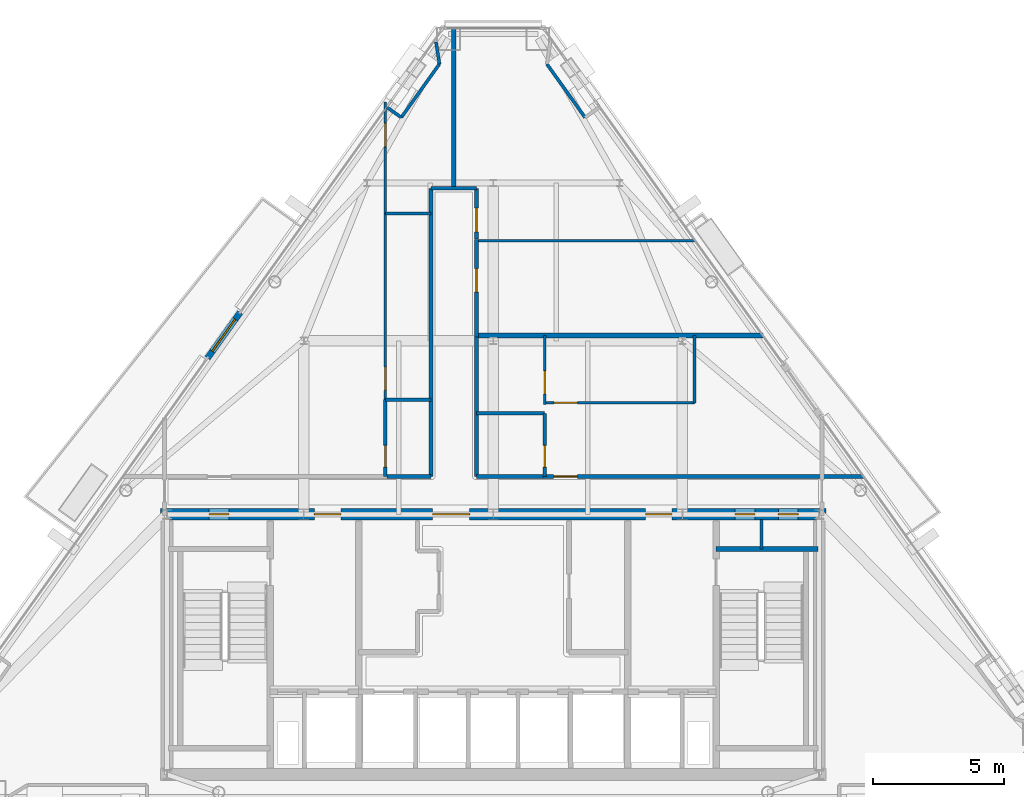
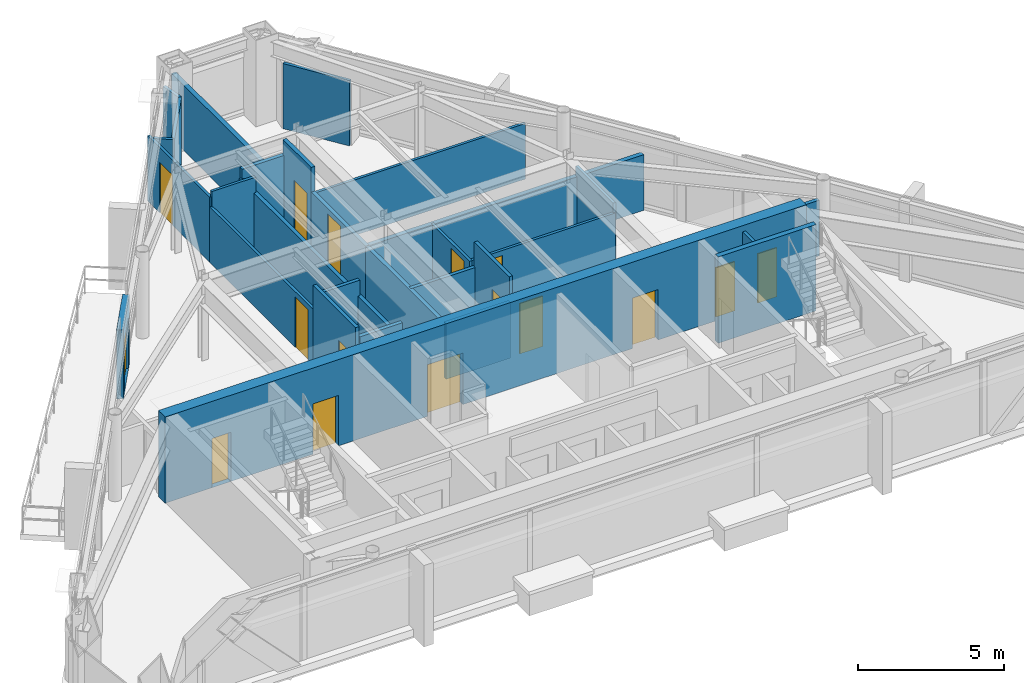
# One storey, part 9 of 12: 29 walls, 16 doors, 16 openings.
"""IFC4 building model written with IfcOpenShell, lengths in metres."""

from ifc_helpers import new_model, si_unit, direction, frame, frame_2d, origin, place, context, subcontext, project, spatial, rectangle, extrude, material, layer, layer_set, type_object, element, fill, save


model = new_model("IFC4")

# Units and contexts
model_context = context("Model", 3, precision=1e-05, world=origin(), true_north=direction((0.0, 1.0)))
body_context = subcontext(model_context, "Body", "Model", "MODEL_VIEW")
ifc_project = project(units=[si_unit("LENGTHUNIT", "METRE"), si_unit("AREAUNIT", "SQUARE_METRE"), si_unit("VOLUMEUNIT", "CUBIC_METRE"), si_unit("PLANEANGLEUNIT", "RADIAN"), si_unit("MASSUNIT", "GRAM", prefix="KILO")], contexts=[model_context])

# Site, building, storey
site_placement = place(None, origin())
site = spatial("IfcSite", under=ifc_project, at=site_placement, CompositionType="ELEMENT")
building_placement = place(site_placement, origin())
building = spatial("IfcBuilding", under=site, at=building_placement, Name="Talgorran Terracotta Tower", CompositionType="ELEMENT")
storey_placement = place(building_placement, frame((0.0, 0.0, 277.800048828125)))
storey = spatial("IfcBuildingStorey", under=building, at=storey_placement, Name="L73", CompositionType="ELEMENT", Elevation=277.800048828125)

# Wall, opening, door
ifc_material_1 = material(Name="Concrete C40/50", Category="concrete")
ifc_layer_1 = layer(ifc_material_1, 0.239990234375, Name="WT_BALCONY_SPAND")
ifc_layer_set_1 = layer_set([ifc_layer_1], Name="Concrete C40/50")
wall_type_1 = type_object("IfcWallType", Name="WT_BALCONY_SPAND", PredefinedType="STANDARD", material=ifc_layer_set_1)
wall_1_placement = place(storey_placement, frame((-9.623291015625, 3.482421875, -0.01513671875), z_axis=(0.0, 0.0, 1.0), x_axis=(-0.581238193719, -0.813733471207, 0.0)))
wall_1 = element("IfcWall", 1, at=wall_1_placement, inside=storey, type_object=wall_type_1, Name="WL-L73-BALP-BAL-NW", PredefinedType="STANDARD", context=body_context, shape_type="SweptSolid", body=[
    extrude(rectangle(XDim=2.14013671875, YDim=0.239990234375, at=frame_2d((1.070068359375, 0.0))), origin(), (0.0, 0.0, 1.0), 2.878173828125),
])
opening_1_placement = place(wall_1_placement, frame((0.320068359375, 0.0, 0.014892578125)))
opening_1 = element("IfcOpeningElement", 2, at=opening_1_placement, cuts=wall_1, Name="Opening D-BAL-L73-2", PredefinedType="OPENING", context=body_context, shape_type="SweptSolid", body=[
    extrude(rectangle(XDim=1.506, YDim=2.203951171875, at=frame_2d((0.75, 1.10205078125))), frame((0.0, 0.1298828125, 0.0), z_axis=(0.0, -1.0, 0.0), x_axis=(1.0, 0.0, 0.0)), (0.0, 0.0, 1.0), 0.260009765625),
])
ifc_material_2 = material(Name="Thermally Broken Aluminium", Category="aluminium")
door_type_1 = type_object("IfcDoorType", Name="DT_BALC_1500", OperationType="SLIDING_TO_RIGHT", PredefinedType="DOOR", material=ifc_material_2)
door_1_placement = place(opening_1_placement, origin())
door_1 = element("IfcDoor", 3, at=door_1_placement, inside=storey, type_object=door_type_1, Name="DR-L73-BAL-BAL-NW", OperationType="SLIDING_TO_RIGHT", OverallHeight=2.199951171875, OverallWidth=1.5, PredefinedType="DOOR", context=body_context, shape_type="SweptSolid", body=[
    extrude(rectangle(XDim=1.5, YDim=2.199951171875, at=frame_2d((0.75, 1.10009765625))), frame((0.0, 0.02490234375, 0.0), z_axis=(0.0, -1.0, 0.0), x_axis=(1.0, 0.0, 0.0)), (0.0, 0.0, 1.0), 0.050048828125),
])
fill(opening_1, door_1)

# Wall
ifc_material_3 = material(Name="Concrete C50/60", Category="concrete")
ifc_layer_2 = layer(ifc_material_3, 0.199951171875, Name="WT_CORE_200")
ifc_layer_set_2 = layer_set([ifc_layer_2], Name="Concrete C50/60")
wall_type_2 = type_object("IfcWallType", Name="WT_CORE_200", PredefinedType="SOLIDWALL", material=ifc_layer_set_2)
wall_2_placement = place(storey_placement, frame((8.47998046875, -5.52001953125, 0.0), z_axis=(0.0, 0.0, 1.0), x_axis=(1.0, 0.0, 0.0)))
element("IfcWall", 4, at=wall_2_placement, inside=storey, type_object=wall_type_2, Name="WL-L73-CW-ST2-N", PredefinedType="SOLIDWALL", context=body_context, shape_type="SweptSolid", body=[
    extrude(rectangle(XDim=3.8701171875, YDim=0.199951171875, at=frame_2d((1.93505859375, 0.0))), origin(), (0.0, 0.0, 1.0), 3.599853515625),
])

# Wall, openings, doors
ifc_material_4 = material(Name="Concrete C65/80", Category="concrete")
ifc_layer_3 = layer(ifc_material_4, 0.449951171875, Name="WT_CORE_EXT")
ifc_layer_set_3 = layer_set([ifc_layer_3], Name="Concrete C65/80")
wall_type_3 = type_object("IfcWallType", Name="WT_CORE_EXT", PredefinedType="SHEAR", material=ifc_layer_set_3)
wall_3_placement = place(storey_placement, frame((-12.64990234375, -4.199951171875, 0.0), z_axis=(0.0, 0.0, 1.0), x_axis=(1.0, 0.0, 0.0)))
wall_3 = element("IfcWall", 5, at=wall_3_placement, inside=storey, type_object=wall_type_3, Name="WL-L73-CW-OUT-N", PredefinedType="SHEAR", context=body_context, shape_type="SweptSolid", body=[
    extrude(rectangle(XDim=25.2998046875, YDim=0.449951171875, at=frame_2d((12.64990234375, 0.0))), origin(), (0.0, 0.0, 1.0), 3.599853515625),
])
opening_2_placement = place(wall_3_placement, frame((1.85009765625, 0.0, 0.0)))
opening_2 = element("IfcOpeningElement", 6, at=opening_2_placement, cuts=wall_3, Name="Opening DR-CSN1", PredefinedType="OPENING", context=body_context, shape_type="SweptSolid", body=[
    extrude(rectangle(XDim=0.756, YDim=2.054048828125, at=frame_2d((0.375, 1.027099609375))), frame((0.0, 0.23486328125, 0.0), z_axis=(0.0, -1.0, 0.0), x_axis=(1.0, 0.0, 0.0)), (0.0, 0.0, 1.0), 0.469970703125),
])
opening_3_placement = place(wall_3_placement, frame((21.85009765625, 0.0, 0.0)))
opening_3 = element("IfcOpeningElement", 7, at=opening_3_placement, cuts=wall_3, Name="Opening DR-CSN2", PredefinedType="OPENING", context=body_context, shape_type="SweptSolid", body=[
    extrude(rectangle(XDim=0.756, YDim=2.054048828125, at=frame_2d((0.375, 1.027099609375))), frame((0.0, 0.23486328125, 0.0), z_axis=(0.0, -1.0, 0.0), x_axis=(1.0, 0.0, 0.0)), (0.0, 0.0, 1.0), 0.469970703125),
])
opening_4_placement = place(wall_3_placement, frame((23.5, 0.0, 0.0)))
opening_4 = element("IfcOpeningElement", 8, at=opening_4_placement, cuts=wall_3, Name="Opening DR-CSN3", PredefinedType="OPENING", context=body_context, shape_type="SweptSolid", body=[
    extrude(rectangle(XDim=0.756, YDim=2.054048828125, at=frame_2d((0.375, 1.027099609375))), frame((0.0, 0.23486328125, 0.0), z_axis=(0.0, -1.0, 0.0), x_axis=(1.0, 0.0, 0.0)), (0.0, 0.0, 1.0), 0.469970703125),
])
opening_5_placement = place(wall_3_placement, frame((5.85009765625, 0.0, 0.0)))
opening_5 = element("IfcOpeningElement", 9, at=opening_5_placement, cuts=wall_3, Name="Opening DR-FFLW-N", PredefinedType="OPENING", context=body_context, shape_type="SweptSolid", body=[
    extrude(rectangle(XDim=1.006, YDim=2.10409765625, at=frame_2d((0.5, 1.052001953125))), frame((0.0, 0.23486328125, 0.0), z_axis=(0.0, -1.0, 0.0), x_axis=(1.0, 0.0, 0.0)), (0.0, 0.0, 1.0), 0.469970703125),
])
opening_6_placement = place(wall_3_placement, frame((10.35009765625, 0.0, 0.0)))
opening_6 = element("IfcOpeningElement", 10, at=opening_6_placement, cuts=wall_3, Name="Opening DR-PLL-N", PredefinedType="OPENING", context=body_context, shape_type="SweptSolid", body=[
    extrude(rectangle(XDim=1.40590234375, YDim=2.15390234375, at=frame_2d((0.699951171875, 1.076904296875))), frame((0.0, 0.23486328125, 0.0), z_axis=(0.0, -1.0, 0.0), x_axis=(1.0, 0.0, 0.0)), (0.0, 0.0, 1.0), 0.469970703125),
])
opening_7_placement = place(wall_3_placement, frame((18.449951171875, 0.0, 0.0)))
opening_7 = element("IfcOpeningElement", 11, at=opening_7_placement, cuts=wall_3, Name="Opening DR-FFLE-N", PredefinedType="OPENING", context=body_context, shape_type="SweptSolid", body=[
    extrude(rectangle(XDim=1.006, YDim=2.10409765625, at=frame_2d((0.5, 1.052001953125))), frame((0.0, 0.23486328125, 0.0), z_axis=(0.0, -1.0, 0.0), x_axis=(1.0, 0.0, 0.0)), (0.0, 0.0, 1.0), 0.469970703125),
])
ifc_material_5 = material(Name="Acoustic Glazed Timber", Category="wood")
door_type_2 = type_object("IfcDoorType", Name="DT_DOUBLE_1400", OperationType="DOUBLE_DOOR_SINGLE_SWING", PredefinedType="DOOR", material=ifc_material_5)
door_2_placement = place(opening_6_placement, origin())
door_2 = element("IfcDoor", 12, at=door_2_placement, inside=storey, type_object=door_type_2, Name="DR-PLL-N", OperationType="DOUBLE_DOOR_SINGLE_SWING", OverallHeight=2.14990234375, OverallWidth=1.39990234375, PredefinedType="DOOR", context=body_context, shape_type="SweptSolid", body=[
    extrude(rectangle(XDim=1.39990234375, YDim=2.14990234375, at=frame_2d((0.699951171875, 1.074951171875))), frame((0.0, 0.02490234375, 0.0), z_axis=(0.0, -1.0, 0.0), x_axis=(1.0, 0.0, 0.0)), (0.0, 0.0, 1.0), 0.050048828125),
])
fill(opening_6, door_2)
ifc_material_6 = material(Name="Fire-Rated Pressed Steel", Category="steel")
door_type_3 = type_object("IfcDoorType", Name="DT_FIRE_1000", OperationType="NOTDEFINED", PredefinedType="DOOR", material=ifc_material_6)
door_3_placement = place(opening_5_placement, origin())
door_3 = element("IfcDoor", 13, at=door_3_placement, inside=storey, type_object=door_type_3, Name="DR-FFLW-N", OperationType="SINGLE_SWING_LEFT", OverallHeight=2.10009765625, OverallWidth=1.0, PredefinedType="DOOR", context=body_context, shape_type="SweptSolid", body=[
    extrude(rectangle(XDim=1.0, YDim=2.10009765625, at=frame_2d((0.5, 1.050048828125))), frame((0.0, 0.02490234375, 0.0), z_axis=(0.0, -1.0, 0.0), x_axis=(1.0, 0.0, 0.0)), (0.0, 0.0, 1.0), 0.050048828125),
])
fill(opening_5, door_3)
door_4_placement = place(opening_7_placement, origin())
door_4 = element("IfcDoor", 14, at=door_4_placement, inside=storey, type_object=door_type_3, Name="DR-FFLE-N", OperationType="SINGLE_SWING_RIGHT", OverallHeight=2.10009765625, OverallWidth=1.0, PredefinedType="DOOR", context=body_context, shape_type="SweptSolid", body=[
    extrude(rectangle(XDim=1.0, YDim=2.10009765625, at=frame_2d((0.5, 1.050048828125))), frame((0.0, 0.02490234375, 0.0), z_axis=(0.0, -1.0, 0.0), x_axis=(1.0, 0.0, 0.0)), (0.0, 0.0, 1.0), 0.050048828125),
])
fill(opening_7, door_4)
door_type_4 = type_object("IfcDoorType", Name="DT_RISER_750", OperationType="NOTDEFINED", PredefinedType="DOOR", material=ifc_material_6)
door_5_placement = place(opening_2_placement, origin())
door_5 = element("IfcDoor", 15, at=door_5_placement, inside=storey, type_object=door_type_4, Name="DR-CSN1", OperationType="SINGLE_SWING_LEFT", OverallHeight=2.050048828125, OverallWidth=0.75, PredefinedType="DOOR", context=body_context, shape_type="SweptSolid", body=[
    extrude(rectangle(XDim=0.75, YDim=2.050048828125, at=frame_2d((0.375, 1.02490234375))), frame((0.0, 0.02490234375, 0.0), z_axis=(0.0, -1.0, 0.0), x_axis=(1.0, 0.0, 0.0)), (0.0, 0.0, 1.0), 0.050048828125),
])
fill(opening_2, door_5)
door_6_placement = place(opening_3_placement, origin())
door_6 = element("IfcDoor", 16, at=door_6_placement, inside=storey, type_object=door_type_4, Name="DR-CSN2", OperationType="SINGLE_SWING_LEFT", OverallHeight=2.050048828125, OverallWidth=0.75, PredefinedType="DOOR", context=body_context, shape_type="SweptSolid", body=[
    extrude(rectangle(XDim=0.75, YDim=2.050048828125, at=frame_2d((0.375, 1.02490234375))), frame((0.0, 0.02490234375, 0.0), z_axis=(0.0, -1.0, 0.0), x_axis=(1.0, 0.0, 0.0)), (0.0, 0.0, 1.0), 0.050048828125),
])
fill(opening_3, door_6)
door_7_placement = place(opening_4_placement, origin())
door_7 = element("IfcDoor", 17, at=door_7_placement, inside=storey, type_object=door_type_4, Name="DR-CSN3", OperationType="SINGLE_SWING_RIGHT", OverallHeight=2.050048828125, OverallWidth=0.75, PredefinedType="DOOR", context=body_context, shape_type="SweptSolid", body=[
    extrude(rectangle(XDim=0.75, YDim=2.050048828125, at=frame_2d((0.375, 1.02490234375))), frame((0.0, 0.02490234375, 0.0), z_axis=(0.0, -1.0, 0.0), x_axis=(1.0, 0.0, 0.0)), (0.0, 0.0, 1.0), 0.050048828125),
])
fill(opening_4, door_7)

# Wall, opening, door
ifc_material_7 = material(Name="Fire-Rated Steel Stud Plasterboard", Category="steel")
ifc_layer_4 = layer(ifc_material_7, 0.14990234375, Name="WT_FIRE_150")
ifc_layer_set_4 = layer_set([ifc_layer_4], Name="Fire-Rated Steel Stud Plasterboard")
wall_type_4 = type_object("IfcWallType", Name="WT_FIRE_150", PredefinedType="PARTITIONING", material=ifc_layer_set_4)
wall_4_placement = place(storey_placement, frame((1.89990234375, -2.760009765625, 0.0), z_axis=(0.0, 0.0, 1.0), x_axis=(1.0, 0.0, 0.0)))
wall_4 = element("IfcWall", 18, at=wall_4_placement, inside=storey, type_object=wall_type_4, Name="WL-L73-W-L73-R12", PredefinedType="PARTITIONING", context=body_context, shape_type="SweptSolid", body=[
    extrude(rectangle(XDim=12.182373046875, YDim=0.14990234375, at=frame_2d((6.09130859375, 0.0))), origin(), (0.0, 0.0, 1.0), 2.320068359375),
])
opening_8_placement = place(wall_4_placement, frame((0.3994140625, 0.0, 0.0)))
opening_8 = element("IfcOpeningElement", 19, at=opening_8_placement, cuts=wall_4, Name="Opening DR-L73-R09", PredefinedType="OPENING", context=body_context, shape_type="SweptSolid", body=[
    extrude(rectangle(XDim=0.90590234375, YDim=2.10409765625, at=frame_2d((0.449951171875, 1.052001953125))), frame((0.0, 0.0849609375, 0.0), z_axis=(0.0, -1.0, 0.0), x_axis=(1.0, 0.0, 0.0)), (0.0, 0.0, 1.0), 0.169921875),
])
ifc_material_8 = material(Name="Fire-Rated Timber Core", Category="wood")
door_type_5 = type_object("IfcDoorType", Name="DT_FIRE_900", OperationType="NOTDEFINED", PredefinedType="DOOR", material=ifc_material_8)
door_8_placement = place(opening_8_placement, origin())
door_8 = element("IfcDoor", 20, at=door_8_placement, inside=storey, type_object=door_type_5, Name="DR-L73-R09", OperationType="SINGLE_SWING_LEFT", OverallHeight=2.10009765625, OverallWidth=0.89990234375, PredefinedType="DOOR", context=body_context, shape_type="SweptSolid", body=[
    extrude(rectangle(XDim=0.89990234375, YDim=2.10009765625, at=frame_2d((0.449951171875, 1.050048828125))), frame((0.0, 0.02490234375, 0.0), z_axis=(0.0, -1.0, 0.0), x_axis=(1.0, 0.0, 0.0)), (0.0, 0.0, 1.0), 0.050048828125),
])
fill(opening_8, door_8)

# Wall
wall_5_placement = place(storey_placement, frame((-2.360107421875, -2.760009765625, 0.0), z_axis=(0.0, 0.0, 1.0), x_axis=(0.0, 1.0, 0.0)))
element("IfcWall", 21, at=wall_5_placement, inside=storey, type_object=wall_type_4, Name="WL-L73-W-L73-R05", PredefinedType="PARTITIONING", context=body_context, shape_type="SweptSolid", body=[
    extrude(rectangle(XDim=10.9599609375, YDim=0.14990234375, at=frame_2d((5.47998046875, 0.0))), origin(), (0.0, 0.0, 1.0), 2.320068359375),
])

# Wall, opening, door
wall_6_placement = place(storey_placement, frame((-0.639892578125, 2.5400390625, 0.0), z_axis=(0.0, 0.0, 1.0), x_axis=(0.0, 1.0, 0.0)))
wall_6 = element("IfcWall", 22, at=wall_6_placement, inside=storey, type_object=wall_type_4, Name="WL-L73-W-L73-R13", PredefinedType="PARTITIONING", context=body_context, shape_type="SweptSolid", body=[
    extrude(rectangle(XDim=3.719970703125, YDim=0.14990234375, at=frame_2d((1.85986328125, 0.0))), origin(), (0.0, 0.0, 1.0), 2.320068359375),
])
opening_9_placement = place(wall_6_placement, frame((1.707763671875, 0.0, 0.0)))
opening_9 = element("IfcOpeningElement", 23, at=opening_9_placement, cuts=wall_6, Name="Opening DR-L73-R11", PredefinedType="OPENING", context=body_context, shape_type="SweptSolid", body=[
    extrude(rectangle(XDim=0.90590234375, YDim=2.10409765625, at=frame_2d((0.449951171875, 1.052001953125))), frame((0.0, 0.0849609375, 0.0), z_axis=(0.0, -1.0, 0.0), x_axis=(1.0, 0.0, 0.0)), (0.0, 0.0, 1.0), 0.169921875),
])
door_9_placement = place(opening_9_placement, origin())
door_9 = element("IfcDoor", 24, at=door_9_placement, inside=storey, type_object=door_type_5, Name="DR-L73-R11", OperationType="SINGLE_SWING_LEFT", OverallHeight=2.10009765625, OverallWidth=0.89990234375, PredefinedType="DOOR", context=body_context, shape_type="SweptSolid", body=[
    extrude(rectangle(XDim=0.89990234375, YDim=2.10009765625, at=frame_2d((0.449951171875, 1.050048828125))), frame((0.0, 0.02490234375, 0.0), z_axis=(0.0, -1.0, 0.0), x_axis=(1.0, 0.0, 0.0)), (0.0, 0.0, 1.0), 0.050048828125),
])
fill(opening_9, door_9)

# Walls
wall_7_placement = place(storey_placement, frame((-0.639892578125, -2.760009765625, 0.0), z_axis=(0.0, 0.0, 1.0), x_axis=(0.0, 1.0, 0.0)))
element("IfcWall", 25, at=wall_7_placement, inside=storey, type_object=wall_type_4, Name="WL-L73-W-L73-R11", PredefinedType="PARTITIONING", context=body_context, shape_type="SweptSolid", body=[
    extrude(rectangle(XDim=5.298095703125, YDim=0.14990234375, at=frame_2d((2.64892578125, 0.0))), origin(), (0.0, 0.0, 1.0), 2.320068359375),
])
wall_8_placement = place(storey_placement, frame((-0.639892578125, -2.760009765625, 0.0), z_axis=(0.0, 0.0, 1.0), x_axis=(1.0, 0.0, 0.0)))
element("IfcWall", 26, at=wall_8_placement, inside=storey, type_object=wall_type_4, Name="WL-L73-W-L73-R10", PredefinedType="PARTITIONING", context=body_context, shape_type="SweptSolid", body=[
    extrude(rectangle(XDim=2.537841796875, YDim=0.14990234375, at=frame_2d((1.26904296875, 0.0))), origin(), (0.0, 0.0, 1.0), 2.320068359375),
])

# Wall, opening, door
wall_9_placement = place(storey_placement, frame((-0.639892578125, 6.261962890625, 0.0), z_axis=(0.0, 0.0, 1.0), x_axis=(0.0, 1.0, 0.0)))
wall_9 = element("IfcWall", 27, at=wall_9_placement, inside=storey, type_object=wall_type_4, Name="WL-L73-W-L73-R15", PredefinedType="PARTITIONING", context=body_context, shape_type="SweptSolid", body=[
    extrude(rectangle(XDim=1.93798828125, YDim=0.14990234375, at=frame_2d((0.968994140625, 0.0))), origin(), (0.0, 0.0, 1.0), 3.344970703125),
])
opening_10_placement = place(wall_9_placement, frame((0.278076171875, 0.0, 0.0)))
opening_10 = element("IfcOpeningElement", 28, at=opening_10_placement, cuts=wall_9, Name="Opening DR-L73-R12", PredefinedType="OPENING", context=body_context, shape_type="SweptSolid", body=[
    extrude(rectangle(XDim=0.90590234375, YDim=2.10409765625, at=frame_2d((0.449951171875, 1.052001953125))), frame((0.0, 0.0849609375, 0.0), z_axis=(0.0, -1.0, 0.0), x_axis=(1.0, 0.0, 0.0)), (0.0, 0.0, 1.0), 0.169921875),
])
door_10_placement = place(opening_10_placement, origin())
door_10 = element("IfcDoor", 29, at=door_10_placement, inside=storey, type_object=door_type_5, Name="DR-L73-R12", OperationType="SINGLE_SWING_RIGHT", OverallHeight=2.10009765625, OverallWidth=0.89990234375, PredefinedType="DOOR", context=body_context, shape_type="SweptSolid", body=[
    extrude(rectangle(XDim=0.89990234375, YDim=2.10009765625, at=frame_2d((0.449951171875, 1.050048828125))), frame((0.0, 0.02490234375, 0.0), z_axis=(0.0, -1.0, 0.0), x_axis=(1.0, 0.0, 0.0)), (0.0, 0.0, 1.0), 0.050048828125),
])
fill(opening_10, door_10)

# Walls
wall_10_placement = place(storey_placement, frame((-4.0380859375, -2.760009765625, 0.0), z_axis=(0.0, 0.0, 1.0), x_axis=(1.0, 0.0, 0.0)))
element("IfcWall", 30, at=wall_10_placement, inside=storey, type_object=wall_type_4, Name="WL-L73-W-L73-R03", PredefinedType="PARTITIONING", context=body_context, shape_type="SweptSolid", body=[
    extrude(rectangle(XDim=1.677978515625, YDim=0.14990234375, at=frame_2d((0.8388671875, 0.0))), origin(), (0.0, 0.0, 1.0), 2.96435546875),
])
wall_11_placement = place(storey_placement, frame((-2.360107421875, 8.199951171875, 0.0), z_axis=(0.0, 0.0, 1.0), x_axis=(1.0, 0.0, 0.0)))
element("IfcWall", 31, at=wall_11_placement, inside=storey, type_object=wall_type_4, Name="WL-L73-W-L73-R14", PredefinedType="PARTITIONING", context=body_context, shape_type="SweptSolid", body=[
    extrude(rectangle(XDim=1.72021484375, YDim=0.14990234375, at=frame_2d((0.860107421875, 0.0))), origin(), (0.0, 0.0, 1.0), 2.718017578125),
])
ifc_material_9 = material(Name="Acoustic Stud and Plasterboard")
ifc_layer_5 = layer(ifc_material_9, 0.179931640625, Name="WT_PARTY_200")
ifc_layer_set_5 = layer_set([ifc_layer_5], Name="Acoustic Stud and Plasterboard")
wall_type_5 = type_object("IfcWallType", Name="WT_PARTY_200", PredefinedType="PARTITIONING", material=ifc_layer_set_5)
wall_12_placement = place(storey_placement, frame((-1.5, 8.199951171875, 0.0), z_axis=(0.0, 0.0, 1.0), x_axis=(0.0, 1.0, 0.0)))
element("IfcWall", 32, at=wall_12_placement, inside=storey, type_object=wall_type_5, Name="WL-L73-W-L73-R22", PredefinedType="PARTITIONING", context=body_context, shape_type="SweptSolid", body=[
    extrude(rectangle(XDim=6.089599609375, YDim=0.179931640625, at=frame_2d((3.044921875, 0.0))), origin(), (0.0, 0.0, 1.0), 2.718017578125),
])
wall_13_placement = place(storey_placement, frame((-0.639892578125, 2.60009765625, 0.0), z_axis=(0.0, 0.0, 1.0), x_axis=(1.0, 0.0, 0.0)))
element("IfcWall", 33, at=wall_13_placement, inside=storey, type_object=wall_type_5, Name="WL-L73-W-L73-R31", PredefinedType="PARTITIONING", context=body_context, shape_type="SweptSolid", body=[
    extrude(rectangle(XDim=10.8935546875, YDim=0.179931640625, at=frame_2d((5.44677734375, 0.0))), origin(), (0.0, 0.0, 1.0), 2.320068359375),
])
ifc_material_10 = material(Name="Lightweight Steel Stud Partition", Category="steel")
ifc_layer_6 = layer(ifc_material_10, 0.10498046875, Name="WT_PART_110")
ifc_layer_set_6 = layer_set([ifc_layer_6], Name="Lightweight Steel Stud Partition")
wall_type_6 = type_object("IfcWallType", Name="WT_PART_110", PredefinedType="PARTITIONING", material=ifc_layer_set_6)
wall_14_placement = place(storey_placement, frame((-0.639892578125, 6.199951171875, 0.0), z_axis=(0.0, 0.0, 1.0), x_axis=(1.0, 0.0, 0.0)))
element("IfcWall", 34, at=wall_14_placement, inside=storey, type_object=wall_type_6, Name="WL-L73-W-L73-R32", PredefinedType="PARTITIONING", context=body_context, shape_type="SweptSolid", body=[
    extrude(rectangle(XDim=8.322021484375, YDim=0.10498046875, at=frame_2d((4.1611328125, 0.0))), origin(), (0.0, 0.0, 1.0), 2.320068359375),
])

# Wall, opening, door
wall_15_placement = place(storey_placement, frame((-4.10009765625, 0.159912109375, 0.0), z_axis=(0.0, 0.0, 1.0), x_axis=(0.0, 1.0, 0.0)))
wall_15 = element("IfcWall", 35, at=wall_15_placement, inside=storey, type_object=wall_type_6, Name="WL-L73-W-L73-R20", PredefinedType="PARTITIONING", context=body_context, shape_type="SweptSolid", body=[
    extrude(rectangle(XDim=7.080078125, YDim=0.10498046875, at=frame_2d((3.5400390625, 0.0))), origin(), (0.0, 0.0, 1.0), 2.320068359375),
])
opening_11_placement = place(wall_15_placement, frame((0.3583984375, 0.0, 0.0)))
opening_11 = element("IfcOpeningElement", 36, at=opening_11_placement, cuts=wall_15, Name="Opening DR-L73-R04", PredefinedType="OPENING", context=body_context, shape_type="SweptSolid", body=[
    extrude(rectangle(XDim=0.8858828125, YDim=2.10409765625, at=frame_2d((0.43994140625, 1.052001953125))), frame((0.0, 0.0625, 0.0), z_axis=(0.0, -1.0, 0.0), x_axis=(1.0, 0.0, 0.0)), (0.0, 0.0, 1.0), 0.125),
])
ifc_material_11 = material(Name="Solid-Core Painted Timber", Category="wood")
door_type_6 = type_object("IfcDoorType", Name="DT_INT_880", OperationType="NOTDEFINED", PredefinedType="DOOR", material=ifc_material_11)
door_11_placement = place(opening_11_placement, origin())
door_11 = element("IfcDoor", 37, at=door_11_placement, inside=storey, type_object=door_type_6, Name="DR-L73-R04", OperationType="SINGLE_SWING_RIGHT", OverallHeight=2.10009765625, OverallWidth=0.8798828125, PredefinedType="DOOR", context=body_context, shape_type="SweptSolid", body=[
    extrude(rectangle(XDim=0.8798828125, YDim=2.10009765625, at=frame_2d((0.43994140625, 1.050048828125))), frame((0.0, 0.02490234375, 0.0), z_axis=(0.0, -1.0, 0.0), x_axis=(1.0, 0.0, 0.0)), (0.0, 0.0, 1.0), 0.050048828125),
])
fill(opening_11, door_11)

wall_16_placement = place(storey_placement, frame((1.9599609375, 0.0400390625, 0.0), z_axis=(0.0, 0.0, 1.0), x_axis=(1.0, 0.0, 0.0)))
wall_16 = element("IfcWall", 38, at=wall_16_placement, inside=storey, type_object=wall_type_6, Name="WL-L73-W-L73-R28", PredefinedType="PARTITIONING", context=body_context, shape_type="SweptSolid", body=[
    extrude(rectangle(XDim=5.699951171875, YDim=0.10498046875, at=frame_2d((2.85009765625, 0.0))), origin(), (0.0, 0.0, 1.0), 2.320068359375),
])
opening_12_placement = place(wall_16_placement, frame((0.35888671875, 0.0, 0.0)))
opening_12 = element("IfcOpeningElement", 39, at=opening_12_placement, cuts=wall_16, Name="Opening DR-L73-R10", PredefinedType="OPENING", context=body_context, shape_type="SweptSolid", body=[
    extrude(rectangle(XDim=0.8858828125, YDim=2.10409765625, at=frame_2d((0.43994140625, 1.052001953125))), frame((0.0, 0.0625, 0.0), z_axis=(0.0, -1.0, 0.0), x_axis=(1.0, 0.0, 0.0)), (0.0, 0.0, 1.0), 0.125),
])
door_12_placement = place(opening_12_placement, origin())
door_12 = element("IfcDoor", 40, at=door_12_placement, inside=storey, type_object=door_type_6, Name="DR-L73-R10", OperationType="SINGLE_SWING_RIGHT", OverallHeight=2.10009765625, OverallWidth=0.8798828125, PredefinedType="DOOR", context=body_context, shape_type="SweptSolid", body=[
    extrude(rectangle(XDim=0.8798828125, YDim=2.10009765625, at=frame_2d((0.43994140625, 1.050048828125))), frame((0.0, 0.02490234375, 0.0), z_axis=(0.0, -1.0, 0.0), x_axis=(1.0, 0.0, 0.0)), (0.0, 0.0, 1.0), 0.050048828125),
])
fill(opening_12, door_12)

wall_17_placement = place(storey_placement, frame((-4.10009765625, 7.239990234375, 0.0), z_axis=(0.0, 0.0, 1.0), x_axis=(0.0, 1.0, 0.0)))
wall_17 = element("IfcWall", 41, at=wall_17_placement, inside=storey, type_object=wall_type_6, Name="WL-L73-W-L73-R21", PredefinedType="PARTITIONING", context=body_context, shape_type="SweptSolid", body=[
    extrude(rectangle(XDim=4.239990234375, YDim=0.10498046875, at=frame_2d((2.1201171875, 0.0))), origin(), (0.0, 0.0, 1.0), 2.718017578125),
])
opening_13_placement = place(wall_17_placement, frame((2.543212890625, 0.0, 0.0)))
opening_13 = element("IfcOpeningElement", 42, at=opening_13_placement, cuts=wall_17, Name="Opening DR-L73-R05", PredefinedType="OPENING", context=body_context, shape_type="SweptSolid", body=[
    extrude(rectangle(XDim=0.8858828125, YDim=2.10409765625, at=frame_2d((0.43994140625, 1.052001953125))), frame((0.0, 0.0625, 0.0), z_axis=(0.0, -1.0, 0.0), x_axis=(1.0, 0.0, 0.0)), (0.0, 0.0, 1.0), 0.125),
])
door_13_placement = place(opening_13_placement, origin())
door_13 = element("IfcDoor", 43, at=door_13_placement, inside=storey, type_object=door_type_6, Name="DR-L73-R05", OperationType="SINGLE_SWING_LEFT", OverallHeight=2.10009765625, OverallWidth=0.8798828125, PredefinedType="DOOR", context=body_context, shape_type="SweptSolid", body=[
    extrude(rectangle(XDim=0.8798828125, YDim=2.10009765625, at=frame_2d((0.43994140625, 1.050048828125))), frame((0.0, 0.02490234375, 0.0), z_axis=(0.0, -1.0, 0.0), x_axis=(1.0, 0.0, 0.0)), (0.0, 0.0, 1.0), 0.050048828125),
])
fill(opening_13, door_13)

wall_18_placement = place(storey_placement, frame((1.9599609375, -0.02001953125, 0.0), z_axis=(0.0, 0.0, 1.0), x_axis=(0.0, 1.0, 0.0)))
wall_18 = element("IfcWall", 44, at=wall_18_placement, inside=storey, type_object=wall_type_6, Name="WL-L73-W-L73-R26", PredefinedType="PARTITIONING", context=body_context, shape_type="SweptSolid", body=[
    extrude(rectangle(XDim=2.6201171875, YDim=0.10498046875, at=frame_2d((1.31005859375, 0.0))), origin(), (0.0, 0.0, 1.0), 2.320068359375),
])
opening_14_placement = place(wall_18_placement, frame((0.396240234375, 0.0, 0.0)))
opening_14 = element("IfcOpeningElement", 45, at=opening_14_placement, cuts=wall_18, Name="Opening DR-L73-R08", PredefinedType="OPENING", context=body_context, shape_type="SweptSolid", body=[
    extrude(rectangle(XDim=0.8858828125, YDim=2.10409765625, at=frame_2d((0.43994140625, 1.052001953125))), frame((0.0, 0.0625, 0.0), z_axis=(0.0, -1.0, 0.0), x_axis=(1.0, 0.0, 0.0)), (0.0, 0.0, 1.0), 0.125),
])
door_14_placement = place(opening_14_placement, origin())
door_14 = element("IfcDoor", 46, at=door_14_placement, inside=storey, type_object=door_type_6, Name="DR-L73-R08", OperationType="SINGLE_SWING_RIGHT", OverallHeight=2.10009765625, OverallWidth=0.8798828125, PredefinedType="DOOR", context=body_context, shape_type="SweptSolid", body=[
    extrude(rectangle(XDim=0.8798828125, YDim=2.10009765625, at=frame_2d((0.43994140625, 1.050048828125))), frame((0.0, 0.02490234375, 0.0), z_axis=(0.0, -1.0, 0.0), x_axis=(1.0, 0.0, 0.0)), (0.0, 0.0, 1.0), 0.050048828125),
])
fill(opening_14, door_14)

# Walls
wall_19_placement = place(storey_placement, frame((7.659912109375, 0.0400390625, 0.0), z_axis=(0.0, 0.0, 1.0), x_axis=(0.0, 1.0, 0.0)))
element("IfcWall", 47, at=wall_19_placement, inside=storey, type_object=wall_type_6, Name="WL-L73-W-L73-R29", PredefinedType="PARTITIONING", context=body_context, shape_type="SweptSolid", body=[
    extrude(rectangle(XDim=2.56005859375, YDim=0.10498046875, at=frame_2d((1.280029296875, 0.0))), origin(), (0.0, 0.0, 1.0), 2.718017578125),
])
wall_20_placement = place(storey_placement, frame((-4.10009765625, 7.239990234375, 0.0), z_axis=(0.0, 0.0, 1.0), x_axis=(1.0, 0.0, 0.0)))
element("IfcWall", 48, at=wall_20_placement, inside=storey, type_object=wall_type_6, Name="WL-L73-W-L73-R19", PredefinedType="PARTITIONING", context=body_context, shape_type="SweptSolid", body=[
    extrude(rectangle(XDim=1.739990234375, YDim=0.10498046875, at=frame_2d((0.8701171875, 0.0))), origin(), (0.0, 0.0, 1.0), 2.96435546875),
])
ifc_material_12 = material(Name="Insulated Steel Stud Plasterboard", Category="steel")
ifc_layer_7 = layer(ifc_material_12, 0.1201171875, Name="WT_PART_120")
ifc_layer_set_7 = layer_set([ifc_layer_7], Name="Insulated Steel Stud Plasterboard")
wall_type_7 = type_object("IfcWallType", Name="WT_PART_120", PredefinedType="PARTITIONING", material=ifc_layer_set_7)
wall_21_placement = place(storey_placement, frame((10.199951171875, -5.52001953125, 0.0), z_axis=(0.0, 0.0, 1.0), x_axis=(0.0, 1.0, 0.0)))
element("IfcWall", 49, at=wall_21_placement, inside=storey, type_object=wall_type_7, Name="WL-L73-CW-CSE-DIV", PredefinedType="PARTITIONING", context=body_context, shape_type="SweptSolid", body=[
    extrude(rectangle(XDim=1.1201171875, YDim=0.1201171875, at=frame_2d((0.56005859375, 0.0))), origin(), (0.0, 0.0, 1.0), 3.344970703125),
])
for number, where, z_axis, x_axis, name in (
    (50, (-2.04296875, 12.9248046875, 0.0), (0.0, 0.0, 1.0), (-0.581247437607, -0.813726868351, 0.0), "WL-L73-BW-L73-14"),
    (51, (3.4951171875, 10.891845703125, 0.0), (0.0, 0.0, 1.0), (-0.581247437607, 0.813726868351, 0.0), "WL-L73-BW-L73-17"),
):
    element("IfcWall", number, at=place(storey_placement, frame(where, z_axis=z_axis, x_axis=x_axis)), inside=storey, type_object=wall_type_7, Name=name, PredefinedType="PARTITIONING", context=body_context, shape_type="SweptSolid", body=[
        extrude(rectangle(XDim=2.498291015625, YDim=0.1201171875, at=frame_2d((1.2490234375, 0.0))), origin(), (0.0, 0.0, 1.0), 2.718017578125),
    ])
wall_22_placement = place(storey_placement, frame((-2.174072265625, 13.764404296875, 0.0), z_axis=(0.0, 0.0, 1.0), x_axis=(0.154280473586, -0.988027092478, 0.0)))
element("IfcWall", 52, at=wall_22_placement, inside=storey, type_object=wall_type_7, Name="WL-L73-BW-L73-13", PredefinedType="PARTITIONING", context=body_context, shape_type="SweptSolid", body=[
    extrude(rectangle(XDim=0.849853515625, YDim=0.1201171875, at=frame_2d((0.4248046875, 0.0))), origin(), (0.0, 0.0, 1.0), 2.718017578125),
])
wall_23_placement = place(storey_placement, frame((-3.4951171875, 10.891845703125, 0.0), z_axis=(0.0, 0.0, 1.0), x_axis=(-0.813733471207, 0.581238193719, 0.0)))
element("IfcWall", 53, at=wall_23_placement, inside=storey, type_object=wall_type_7, Name="WL-L73-BW-L73-15", PredefinedType="PARTITIONING", context=body_context, shape_type="SweptSolid", body=[
    extrude(rectangle(XDim=0.669921875, YDim=0.1201171875, at=frame_2d((0.3349609375, 0.0))), origin(), (0.0, 0.0, 1.0), 2.718017578125),
])

# Wall, opening, door
ifc_material_13 = material(Name="Moisture-Resistant Stud Wall")
ifc_layer_8 = layer(ifc_material_13, 0.135009765625, Name="WT_PART_135")
ifc_layer_set_8 = layer_set([ifc_layer_8], Name="Moisture-Resistant Stud Wall")
wall_type_8 = type_object("IfcWallType", Name="WT_PART_135", PredefinedType="PARTITIONING", material=ifc_layer_set_8)
wall_24_placement = place(storey_placement, frame((-4.10009765625, -2.760009765625, 0.0), z_axis=(0.0, 0.0, 1.0), x_axis=(0.0, 1.0, 0.0)))
wall_24 = element("IfcWall", 54, at=wall_24_placement, inside=storey, type_object=wall_type_8, Name="WL-L73-W-L73-R18", PredefinedType="PARTITIONING", context=body_context, shape_type="SweptSolid", body=[
    extrude(rectangle(XDim=2.919921875, YDim=0.135009765625, at=frame_2d((1.4599609375, 0.0))), origin(), (0.0, 0.0, 1.0), 3.344970703125),
])
opening_15_placement = place(wall_24_placement, frame((0.357421875, 0.0, 0.0)))
opening_15 = element("IfcOpeningElement", 55, at=opening_15_placement, cuts=wall_24, Name="Opening DR-L73-R03", PredefinedType="OPENING", context=body_context, shape_type="SweptSolid", body=[
    extrude(rectangle(XDim=0.826068359375, YDim=2.10409765625, at=frame_2d((0.41015625, 1.052001953125))), frame((0.0, 0.07763671875, 0.0), z_axis=(0.0, -1.0, 0.0), x_axis=(1.0, 0.0, 0.0)), (0.0, 0.0, 1.0), 0.155029296875),
])
ifc_material_14 = material(Name="Moisture-Resistant Solid Timber", Category="wood")
door_type_7 = type_object("IfcDoorType", Name="DT_INT_820", OperationType="NOTDEFINED", PredefinedType="DOOR", material=ifc_material_14)
door_15_placement = place(opening_15_placement, origin())
door_15 = element("IfcDoor", 56, at=door_15_placement, inside=storey, type_object=door_type_7, Name="DR-L73-R03", OperationType="SINGLE_SWING_LEFT", OverallHeight=2.10009765625, OverallWidth=0.820068359375, PredefinedType="DOOR", context=body_context, shape_type="SweptSolid", body=[
    extrude(rectangle(XDim=0.820068359375, YDim=2.10009765625, at=frame_2d((0.41015625, 1.050048828125))), frame((0.0, 0.02490234375, 0.0), z_axis=(0.0, -1.0, 0.0), x_axis=(1.0, 0.0, 0.0)), (0.0, 0.0, 1.0), 0.050048828125),
])
fill(opening_15, door_15)

# Wall
wall_25_placement = place(storey_placement, frame((-0.639892578125, -0.360107421875, 0.0), z_axis=(0.0, 0.0, 1.0), x_axis=(1.0, 0.0, 0.0)))
element("IfcWall", 57, at=wall_25_placement, inside=storey, type_object=wall_type_8, Name="WL-L73-W-L73-R23", PredefinedType="PARTITIONING", context=body_context, shape_type="SweptSolid", body=[
    extrude(rectangle(XDim=2.599853515625, YDim=0.135009765625, at=frame_2d((1.2998046875, 0.0))), origin(), (0.0, 0.0, 1.0), 2.320068359375),
])

# Wall, opening, door
wall_26_placement = place(storey_placement, frame((1.9599609375, -2.760009765625, 0.0), z_axis=(0.0, 0.0, 1.0), x_axis=(0.0, 1.0, 0.0)))
wall_26 = element("IfcWall", 58, at=wall_26_placement, inside=storey, type_object=wall_type_8, Name="WL-L73-W-L73-R24", PredefinedType="PARTITIONING", context=body_context, shape_type="SweptSolid", body=[
    extrude(rectangle(XDim=2.39990234375, YDim=0.135009765625, at=frame_2d((1.199951171875, 0.0))), origin(), (0.0, 0.0, 1.0), 3.344970703125),
])
opening_16_placement = place(wall_26_placement, frame((0.3564453125, 0.0, 0.0)))
opening_16 = element("IfcOpeningElement", 59, at=opening_16_placement, cuts=wall_26, Name="Opening DR-L73-R07", PredefinedType="OPENING", context=body_context, shape_type="SweptSolid", body=[
    extrude(rectangle(XDim=0.826068359375, YDim=2.10409765625, at=frame_2d((0.41015625, 1.052001953125))), frame((0.0, 0.07763671875, 0.0), z_axis=(0.0, -1.0, 0.0), x_axis=(1.0, 0.0, 0.0)), (0.0, 0.0, 1.0), 0.155029296875),
])
door_16_placement = place(opening_16_placement, origin())
door_16 = element("IfcDoor", 60, at=door_16_placement, inside=storey, type_object=door_type_7, Name="DR-L73-R07", OperationType="SINGLE_SWING_LEFT", OverallHeight=2.10009765625, OverallWidth=0.820068359375, PredefinedType="DOOR", context=body_context, shape_type="SweptSolid", body=[
    extrude(rectangle(XDim=0.820068359375, YDim=2.10009765625, at=frame_2d((0.41015625, 1.050048828125))), frame((0.0, 0.02490234375, 0.0), z_axis=(0.0, -1.0, 0.0), x_axis=(1.0, 0.0, 0.0)), (0.0, 0.0, 1.0), 0.050048828125),
])
fill(opening_16, door_16)

# Wall
wall_27_placement = place(storey_placement, frame((-4.10009765625, 0.159912109375, 0.0), z_axis=(0.0, 0.0, 1.0), x_axis=(1.0, 0.0, 0.0)))
element("IfcWall", 61, at=wall_27_placement, inside=storey, type_object=wall_type_8, Name="WL-L73-W-L73-R17", PredefinedType="PARTITIONING", context=body_context, shape_type="SweptSolid", body=[
    extrude(rectangle(XDim=1.739990234375, YDim=0.135009765625, at=frame_2d((0.8701171875, 0.0))), origin(), (0.0, 0.0, 1.0), 2.96435546875),
])

save(model, "model.ifc")
